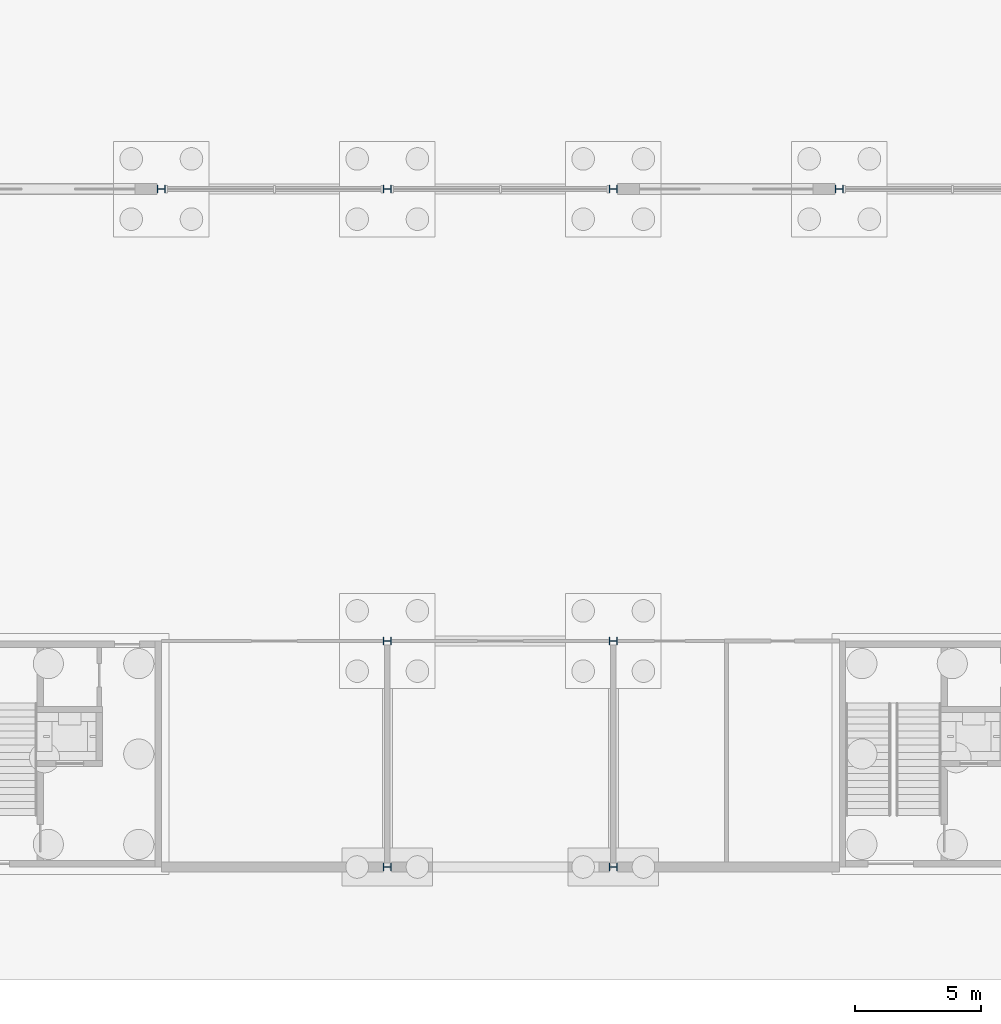
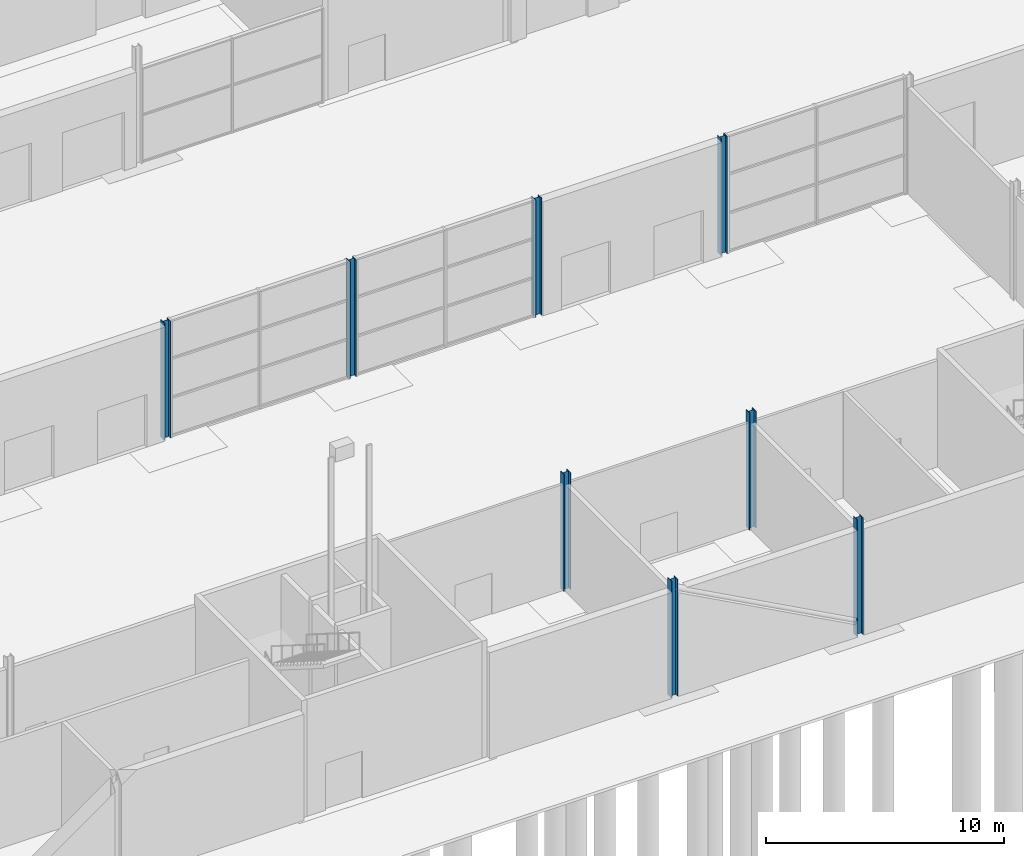
# One storey, part 25 of 97: 8 columns.
"""IFC4 building model written with IfcOpenShell, lengths in metres."""

from ifc_helpers import new_model, si_unit, direction, frame, origin, origin_2d, place, context, subcontext, project, spatial, i_section, extrude, material, material_profile, profile_set, type_object, element, save


model = new_model("IFC4")

# Units and contexts
model_context = context("Model", 3, precision=1e-05, world=origin(), true_north=direction((0.0, 1.0)))
body_context = subcontext(model_context, "Body", "Model", "MODEL_VIEW")
ifc_project = project(units=[si_unit("LENGTHUNIT", "METRE"), si_unit("AREAUNIT", "SQUARE_METRE"), si_unit("VOLUMEUNIT", "CUBIC_METRE"), si_unit("PLANEANGLEUNIT", "RADIAN"), si_unit("MASSUNIT", "GRAM", prefix="KILO")], contexts=[model_context])

# Site, building, storey
site_placement = place(None, origin())
site = spatial("IfcSite", under=ifc_project, at=site_placement, CompositionType="ELEMENT")
building_placement = place(site_placement, origin())
building = spatial("IfcBuilding", under=site, at=building_placement, Name="Corbel Yard City Hall", CompositionType="ELEMENT")
storey_placement = place(building_placement, origin())
storey = spatial("IfcBuildingStorey", under=building, at=storey_placement, Name="L00", CompositionType="ELEMENT", Elevation=0.0)

# Columns
ifc_material = material(Name="Steel Grade 300 (300 MPa yield)", Category="steel")
ifc_material_profile_1 = material_profile(ifc_material, i_section(OverallWidth=0.306884765625, OverallDepth=0.31494140625, WebThickness=0.011962890625, FlangeThickness=0.018798828125, at=origin_2d()), Name="310UC118")
ifc_profile_set_1 = profile_set([ifc_material_profile_1], Name="Steel Grade 300 (300 MPa yield)")
column_type_1 = type_object("IfcColumnType", Name="Column 310UC118", PredefinedType="COLUMN", material=ifc_profile_set_1)
for number, where, z_axis, x_axis, name in (
    (1, (135.0, 0.0, 0.0), (0.0, 0.0, 1.0), (0.0, 1.0, 0.0), "Column 310UC118 A/16 L00"),
    (2, (144.0, 0.0, 0.0), (0.0, 0.0, 1.0), (0.0, 1.0, 0.0), "Column 310UC118 A/17 L00"),
):
    element("IfcColumn", number, at=place(storey_placement, frame(where, z_axis=z_axis, x_axis=x_axis)), inside=storey, type_object=column_type_1, Name=name, PredefinedType="COLUMN", context=body_context, shape_type="SweptSolid", body=[
        extrude(i_section(OverallWidth=0.306884765625, OverallDepth=0.31494140625, WebThickness=0.011962890625, FlangeThickness=0.018798828125, at=origin_2d()), origin(), (0.0, 0.0, 1.0), 6.0),
    ])
ifc_material_profile_2 = material_profile(ifc_material, i_section(OverallWidth=0.31103515625, OverallDepth=0.326904296875, WebThickness=0.015625, FlangeThickness=0.02490234375, at=origin_2d()), Name="310UC158")
ifc_profile_set_2 = profile_set([ifc_material_profile_2], Name="Steel Grade 300 (300 MPa yield)")
column_type_2 = type_object("IfcColumnType", Name="Column 310UC158", PredefinedType="COLUMN", material=ifc_profile_set_2)
for number, where, z_axis, x_axis, name in (
    (3, (126.0, 27.0, 0.0), (0.0, 0.0, 1.0), (0.0, 1.0, 0.0), "Column 310UC158 D/15 L00"),
    (4, (135.0, 9.0, 0.0), (0.0, 0.0, 1.0), (0.0, 1.0, 0.0), "Column 310UC158 B/16 L00"),
    (5, (135.0, 27.0, 0.0), (0.0, 0.0, 1.0), (0.0, 1.0, 0.0), "Column 310UC158 D/16 L00"),
    (6, (144.0, 9.0, 0.0), (0.0, 0.0, 1.0), (0.0, 1.0, 0.0), "Column 310UC158 B/17 L00"),
    (7, (144.0, 27.0, 0.0), (0.0, 0.0, 1.0), (0.0, 1.0, 0.0), "Column 310UC158 D/17 L00"),
    (8, (153.0, 27.0, 0.0), (0.0, 0.0, 1.0), (0.0, 1.0, 0.0), "Column 310UC158 D/18 L00"),
):
    element("IfcColumn", number, at=place(storey_placement, frame(where, z_axis=z_axis, x_axis=x_axis)), inside=storey, type_object=column_type_2, Name=name, PredefinedType="COLUMN", context=body_context, shape_type="SweptSolid", body=[
        extrude(i_section(OverallWidth=0.31103515625, OverallDepth=0.326904296875, WebThickness=0.015625, FlangeThickness=0.02490234375, at=origin_2d()), origin(), (0.0, 0.0, 1.0), 6.0),
    ])

save(model, "model.ifc")
